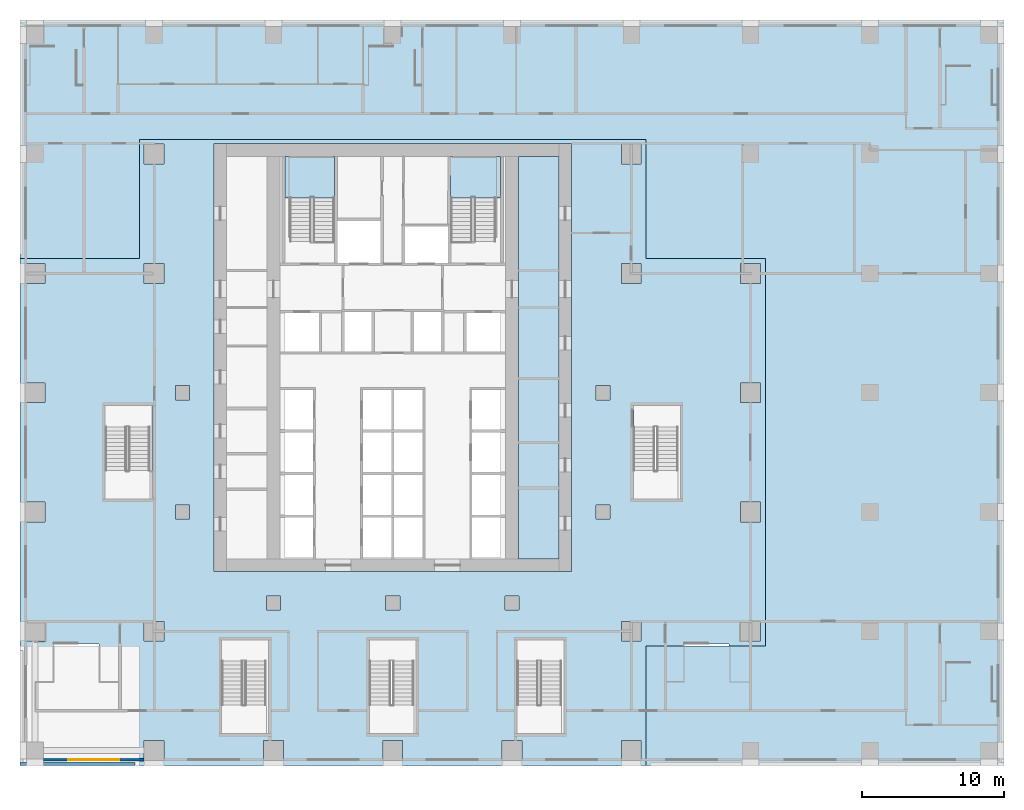
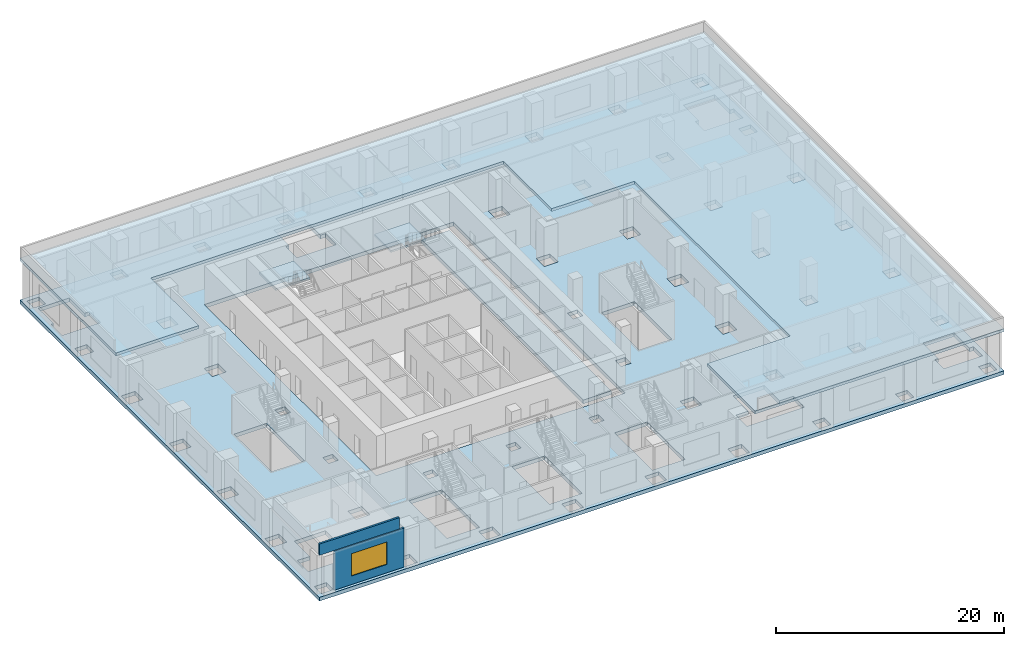
# One storey, part 2 of 16: 5 slabs, 2 walls, 1 window, 1 opening, 2 elements without a shape of their own.
"""IFC4 building model written with IfcOpenShell, lengths in metres."""

from ifc_helpers import new_model, si_unit, direction, frame, frame_2d, origin, place, context, subcontext, project, spatial, polyline, rectangle, outline, extrude, material, layer, layer_set, type_object, element, fill, aggregate, save


model = new_model("IFC4")

# Units and contexts
model_context = context("Model", 3, precision=1e-05, world=origin(), true_north=direction((0.0, 1.0)))
body_context = subcontext(model_context, "Body", "Model", "MODEL_VIEW")
ifc_project = project(units=[si_unit("LENGTHUNIT", "METRE"), si_unit("AREAUNIT", "SQUARE_METRE"), si_unit("VOLUMEUNIT", "CUBIC_METRE"), si_unit("PLANEANGLEUNIT", "RADIAN"), si_unit("MASSUNIT", "GRAM", prefix="KILO")], contexts=[model_context])

# Site, building, storey
site_placement = place(None, origin())
site = spatial("IfcSite", under=ifc_project, at=site_placement, CompositionType="ELEMENT")
building_placement = place(site_placement, origin())
building = spatial("IfcBuilding", under=site, at=building_placement, Name="Vermilion Ogive Tower", CompositionType="ELEMENT")
storey_placement = place(building_placement, frame((0.0, 0.0, 30.0)))
storey = spatial("IfcBuildingStorey", under=building, at=storey_placement, Name="L05", CompositionType="ELEMENT", Elevation=30.0)

# Slabs
ifc_material_1 = material(Name="Concrete B40", Category="concrete")
ifc_layer_1 = layer(ifc_material_1, 0.39990234375)
ifc_layer_set_1 = layer_set([ifc_layer_1], Name="Core floor slab 400 B40")
slab_type_1 = type_object("IfcSlabType", Name="Core floor slab 400 B40", PredefinedType="FLOOR", material=ifc_layer_set_1)
slab_1_placement = place(storey_placement, frame((0.0, 0.0, -0.39990234375)))
element("IfcSlab", 1, at=slab_1_placement, inside=storey, type_object=slab_type_1, Name="L05-CK-FS3", PredefinedType="FLOOR", context=body_context, shape_type="SweptSolid", body=[
    extrude(outline(polyline([(8.85400390625, 20.845947265625), (11.696044921875, 20.845947265625), (11.696044921875, -7.49609375), (8.85400390625, -7.49609375), (8.85400390625, 20.845947265625)])), origin(), (0.0, 0.0, 1.0), 0.39990234375),
])
ifc_material_2 = material(Name="Concrete B45", Category="concrete")
ifc_layer_2 = layer(ifc_material_2, 0.39990234375)
ifc_layer_set_2 = layer_set([ifc_layer_2], Name="Podium floor slab 400")
slab_type_2 = type_object("IfcSlabType", Name="Podium floor slab 400", PredefinedType="FLOOR", material=ifc_layer_set_2)
slab_2_placement = place(storey_placement, frame((0.0, 0.0, -0.39990234375)))
element("IfcSlab", 2, at=slab_2_placement, inside=storey, type_object=slab_type_2, Name="L05 floor slab 1", PredefinedType="FLOOR", context=body_context, shape_type="SweptSolid", body=[
    extrude(outline(polyline([(-26.25, 30.449951171875), (-26.25, -22.050048828125), (43.050048828125, -22.050048828125), (43.050048828125, 30.449951171875), (-26.25, 30.449951171875)]), holes=[polyline([(-25.800048828125, -21.60009765625), (-25.800048828125, -20.39990234375), (-24.60009765625, -20.39990234375), (-24.60009765625, -21.60009765625), (-25.800048828125, -21.60009765625)]), polyline([(-9.10009765625, -21.699951171875), (-9.10009765625, -20.300048828125), (-7.699951171875, -20.300048828125), (-7.699951171875, -21.699951171875), (-9.10009765625, -21.699951171875)]), polyline([(-17.5, -21.699951171875), (-17.5, -20.300048828125), (-16.10009765625, -20.300048828125), (-16.10009765625, -21.699951171875), (-17.5, -21.699951171875)]), polyline([(-12.050048828125, -19.800048828125), (-12.050048828125, -13.199951171875), (-8.75, -13.199951171875), (-8.75, -19.800048828125), (-12.050048828125, -19.800048828125)]), polyline([(-25.10009765625, -16.199951171875), (-23.85009765625, -16.199951171875), (-23.85009765625, -13.5), (-22.199951171875, -13.5), (-22.199951171875, -13.501953125), (-20.699951171875, -13.501953125), (-20.699951171875, -13.5), (-20.699951171875, -13.5), (-20.699951171875, -16.199951171875), (-19.300048828125, -16.199951171875), (-19.300048828125, -18.125), (-25.10009765625, -18.125), (-25.10009765625, -16.199951171875)]), polyline([(-25.89990234375, -13.300048828125), (-25.89990234375, -11.89990234375), (-24.5, -11.89990234375), (-24.5, -13.300048828125), (-25.89990234375, -13.300048828125)]), polyline([(-17.5, -13.300048828125), (-17.5, -11.89990234375), (-16.10009765625, -11.89990234375), (-16.10009765625, -13.300048828125), (-17.5, -13.300048828125)]), polyline([(-8.89990234375, -11.10009765625), (-8.89990234375, -10.10009765625), (-7.89990234375, -10.10009765625), (-7.89990234375, -11.10009765625), (-8.89990234375, -11.10009765625)]), polyline([(-25.89990234375, -4.89990234375), (-25.89990234375, -3.5), (-24.5, -3.5), (-24.5, -4.89990234375), (-25.89990234375, -4.89990234375)]), polyline([(-15.300048828125, -4.699951171875), (-15.300048828125, -3.699951171875), (-14.300048828125, -3.699951171875), (-14.300048828125, -4.699951171875), (-15.300048828125, -4.699951171875)]), polyline([(-20.25, -3.300048828125), (-20.25, 3.300048828125), (-16.949951171875, 3.300048828125), (-16.949951171875, -3.300048828125), (-20.25, -3.300048828125)]), polyline([(-15.300048828125, 3.699951171875), (-15.300048828125, 4.699951171875), (-14.300048828125, 4.699951171875), (-14.300048828125, 3.699951171875), (-15.300048828125, 3.699951171875)]), polyline([(-25.89990234375, 3.5), (-25.89990234375, 4.89990234375), (-24.5, 4.89990234375), (-24.5, 3.5), (-25.89990234375, 3.5)]), polyline([(-25.89990234375, 11.89990234375), (-25.89990234375, 13.300048828125), (-24.5, 13.300048828125), (-24.5, 11.89990234375), (-25.89990234375, 11.89990234375)]), polyline([(-17.5, 11.89990234375), (-17.5, 13.300048828125), (-16.10009765625, 13.300048828125), (-16.10009765625, 11.89990234375), (-17.5, 11.89990234375)]), polyline([(-17.5, 20.300048828125), (-17.5, 21.699951171875), (-16.10009765625, 21.699951171875), (-16.10009765625, 20.300048828125), (-17.5, 20.300048828125)]), polyline([(-25.800048828125, 20.39990234375), (-25.800048828125, 21.60009765625), (-24.60009765625, 21.60009765625), (-24.60009765625, 20.39990234375), (-25.800048828125, 20.39990234375)]), polyline([(-21.85009765625, 25.85009765625), (-21.85009765625, 23.925048828125), (-25.75, 23.925048828125), (-25.75, 25.85009765625), (-25.5, 25.85009765625), (-25.5, 28.550048828125), (-23.85009765625, 28.550048828125), (-23.85009765625, 28.548095703125), (-22.35009765625, 28.548095703125), (-22.35009765625, 25.85009765625), (-21.85009765625, 25.85009765625)]), polyline([(-17.39990234375, 28.800048828125), (-17.39990234375, 30.0), (-16.199951171875, 30.0), (-16.199951171875, 28.800048828125), (-17.39990234375, 28.800048828125)]), polyline([(-9.0, 28.800048828125), (-9.0, 30.0), (-7.800048828125, 30.0), (-7.800048828125, 28.800048828125), (-9.0, 28.800048828125)]), polyline([(-25.800048828125, 28.800048828125), (-25.800048828125, 30.0), (-24.60009765625, 30.0), (-24.60009765625, 28.800048828125), (-25.800048828125, 28.800048828125)]), polyline([(24.60009765625, -21.60009765625), (24.60009765625, -20.39990234375), (25.800048828125, -20.39990234375), (25.800048828125, -21.60009765625), (24.60009765625, -21.60009765625)]), polyline([(-0.699951171875, -21.699951171875), (-0.699951171875, -20.300048828125), (0.699951171875, -20.300048828125), (0.699951171875, -21.699951171875), (-0.699951171875, -21.699951171875)]), polyline([(7.699951171875, -21.699951171875), (7.699951171875, -20.300048828125), (9.10009765625, -20.300048828125), (9.10009765625, -21.699951171875), (7.699951171875, -21.699951171875)]), polyline([(16.10009765625, -21.699951171875), (16.10009765625, -20.300048828125), (17.5, -20.300048828125), (17.5, -21.699951171875), (16.10009765625, -21.699951171875)]), polyline([(-1.64990234375, -19.800048828125), (-1.64990234375, -13.199951171875), (1.64990234375, -13.199951171875), (1.64990234375, -19.800048828125), (-1.64990234375, -19.800048828125)]), polyline([(8.75, -19.800048828125), (8.75, -13.199951171875), (12.050048828125, -13.199951171875), (12.050048828125, -19.800048828125), (8.75, -19.800048828125)]), polyline([(19.300048828125, -18.125), (19.300048828125, -16.199951171875), (20.550048828125, -16.199951171875), (20.550048828125, -13.5), (22.199951171875, -13.5), (22.199951171875, -13.501953125), (23.699951171875, -13.501953125), (23.699951171875, -16.199951171875), (25.099853515625, -16.199951171875), (25.099853515625, -18.125), (19.300048828125, -18.125)]), polyline([(16.10009765625, -13.300048828125), (16.10009765625, -11.89990234375), (17.5, -11.89990234375), (17.5, -13.300048828125), (16.10009765625, -13.300048828125)]), polyline([(-0.5, -11.10009765625), (-0.5, -10.10009765625), (0.5, -10.10009765625), (0.5, -11.10009765625), (-0.5, -11.10009765625)]), polyline([(7.89990234375, -11.10009765625), (7.89990234375, -10.10009765625), (8.89990234375, -10.10009765625), (8.89990234375, -11.10009765625), (7.89990234375, -11.10009765625)]), polyline([(14.300048828125, -4.699951171875), (14.300048828125, -3.699951171875), (15.300048828125, -3.699951171875), (15.300048828125, -4.699951171875), (14.300048828125, -4.699951171875)]), polyline([(16.949951171875, -3.300048828125), (16.949951171875, 3.300048828125), (20.25, 3.300048828125), (20.25, -3.300048828125), (16.949951171875, -3.300048828125)]), polyline([(14.300048828125, 3.699951171875), (14.300048828125, 4.699951171875), (15.300048828125, 4.699951171875), (15.300048828125, 3.699951171875), (14.300048828125, 3.699951171875)]), polyline([(-12.60009765625, -8.39990234375), (-12.60009765625, 21.75), (12.60009765625, 21.75), (12.60009765625, -8.39990234375), (-12.60009765625, -8.39990234375)]), polyline([(16.10009765625, 11.89990234375), (16.10009765625, 13.300048828125), (17.5, 13.300048828125), (17.5, 11.89990234375), (16.10009765625, 11.89990234375)]), polyline([(16.10009765625, 20.300048828125), (16.10009765625, 21.699951171875), (17.5, 21.699951171875), (17.5, 20.300048828125), (16.10009765625, 20.300048828125)]), polyline([(-1.64990234375, 25.85009765625), (-1.64990234375, 28.550048828125), (0.0, 28.550048828125), (0.0, 28.548095703125), (1.5, 28.548095703125), (1.5, 25.85009765625), (2.0, 25.85009765625), (2.0, 23.925048828125), (-2.0, 23.925048828125), (-2.0, 25.85009765625), (-1.64990234375, 25.85009765625)]), polyline([(16.199951171875, 28.800048828125), (16.199951171875, 30.0), (17.39990234375, 30.0), (17.39990234375, 28.800048828125), (16.199951171875, 28.800048828125)]), polyline([(7.800048828125, 28.800048828125), (7.800048828125, 30.0), (9.0, 30.0), (9.0, 28.800048828125), (7.800048828125, 28.800048828125)]), polyline([(24.60009765625, 28.800048828125), (24.60009765625, 30.0), (25.800048828125, 30.0), (25.800048828125, 28.800048828125), (24.60009765625, 28.800048828125)]), polyline([(-0.60009765625, 28.800048828125), (-0.60009765625, 30.0), (0.60009765625, 30.0), (0.60009765625, 28.800048828125), (-0.60009765625, 28.800048828125)]), polyline([(41.39990234375, -21.60009765625), (41.39990234375, -20.39990234375), (42.60009765625, -20.39990234375), (42.60009765625, -21.60009765625), (41.39990234375, -21.60009765625)]), polyline([(33.0, -21.60009765625), (33.0, -20.39990234375), (34.199951171875, -20.39990234375), (34.199951171875, -21.60009765625), (33.0, -21.60009765625)]), polyline([(39.0, -14.85009765625), (40.64990234375, -14.85009765625), (40.64990234375, -14.85205078125), (42.14990234375, -14.85205078125), (42.14990234375, -17.550048828125), (42.550048828125, -17.550048828125), (42.550048828125, -19.125), (38.650146484375, -19.125), (38.650146484375, -17.550048828125), (39.0, -17.550048828125), (39.0, -14.85009765625)]), polyline([(33.0, -13.199951171875), (33.0, -12.0), (34.199951171875, -12.0), (34.199951171875, -13.199951171875), (33.0, -13.199951171875)]), polyline([(41.39990234375, -13.199951171875), (41.39990234375, -12.0), (42.60009765625, -12.0), (42.60009765625, -13.199951171875), (41.39990234375, -13.199951171875)]), polyline([(24.5, -13.300048828125), (24.5, -11.89990234375), (25.89990234375, -11.89990234375), (25.89990234375, -13.300048828125), (24.5, -13.300048828125)]), polyline([(33.0, -4.800048828125), (33.0, -3.60009765625), (34.199951171875, -3.60009765625), (34.199951171875, -4.800048828125), (33.0, -4.800048828125)]), polyline([(41.39990234375, -4.800048828125), (41.39990234375, -3.60009765625), (42.60009765625, -3.60009765625), (42.60009765625, -4.800048828125), (41.39990234375, -4.800048828125)]), polyline([(24.5, -4.89990234375), (24.5, -3.5), (25.89990234375, -3.5), (25.89990234375, -4.89990234375), (24.5, -4.89990234375)]), polyline([(33.0, 3.60009765625), (33.0, 4.800048828125), (34.199951171875, 4.800048828125), (34.199951171875, 3.60009765625), (33.0, 3.60009765625)]), polyline([(24.5, 3.5), (24.5, 4.89990234375), (25.89990234375, 4.89990234375), (25.89990234375, 3.5), (24.5, 3.5)]), polyline([(41.39990234375, 3.60009765625), (41.39990234375, 4.800048828125), (42.60009765625, 4.800048828125), (42.60009765625, 3.60009765625), (41.39990234375, 3.60009765625)]), polyline([(33.0, 12.0), (33.0, 13.199951171875), (34.199951171875, 13.199951171875), (34.199951171875, 12.0), (33.0, 12.0)]), polyline([(24.5, 11.89990234375), (24.5, 13.300048828125), (25.89990234375, 13.300048828125), (25.89990234375, 11.89990234375), (24.5, 11.89990234375)]), polyline([(41.39990234375, 12.0), (41.39990234375, 13.199951171875), (42.60009765625, 13.199951171875), (42.60009765625, 12.0), (41.39990234375, 12.0)]), polyline([(33.0, 20.39990234375), (33.0, 21.60009765625), (34.199951171875, 21.60009765625), (34.199951171875, 20.39990234375), (33.0, 20.39990234375)]), polyline([(41.39990234375, 20.39990234375), (41.39990234375, 21.60009765625), (42.60009765625, 21.60009765625), (42.60009765625, 20.39990234375), (41.39990234375, 20.39990234375)]), polyline([(24.60009765625, 20.39990234375), (24.60009765625, 21.60009765625), (25.800048828125, 21.60009765625), (25.800048828125, 20.39990234375), (24.60009765625, 20.39990234375)]), polyline([(42.550048828125, 22.875), (38.650146484375, 22.875), (38.650146484375, 24.449951171875), (39.0, 24.449951171875), (39.0, 27.14990234375), (40.64990234375, 27.14990234375), (40.64990234375, 27.14794921875), (42.14990234375, 27.14794921875), (42.14990234375, 24.449951171875), (42.550048828125, 24.449951171875), (42.550048828125, 22.875)]), polyline([(33.0, 30.0), (34.199951171875, 30.0), (34.199951171875, 28.800048828125), (33.0, 28.800048828125), (33.0, 30.0)]), polyline([(41.39990234375, 30.0), (42.60009765625, 30.0), (42.60009765625, 28.800048828125), (41.39990234375, 28.800048828125), (41.39990234375, 30.0)])]), origin(), (0.0, 0.0, 1.0), 0.39990234375),
])
ifc_material_3 = material(Name="Concrete B45", Category="concrete")
ifc_layer_3 = layer(ifc_material_3, 0.320068359375)
ifc_layer_set_3 = layer_set([ifc_layer_3], Name="Podium roof slab 320")
slab_type_3 = type_object("IfcSlabType", Name="Podium roof slab 320", PredefinedType="ROOF", material=ifc_layer_set_3)
slab_3_placement = place(storey_placement, frame((0.0, 0.0, 4.179931640625)))
element("IfcSlab", 3, at=slab_3_placement, inside=storey, type_object=slab_type_3, Name="L05 terrace roof 2", PredefinedType="ROOF", context=body_context, shape_type="SweptSolid", body=[
    extrude(outline(polyline([(-26.25, 30.449951171875), (-26.25, 13.65087890625), (-17.85107421875, 13.65087890625), (-17.85107421875, 22.050048828125), (-17.85107421875, 22.05029296875), (-17.850830078125, 22.05029296875), (-17.850830078125, 22.050537109375), (-17.8505859375, 22.05078125), (-17.850341796875, 22.051025390625), (-17.85009765625, 22.051025390625), (17.85009765625, 22.051025390625), (17.850341796875, 22.051025390625), (17.8505859375, 22.05078125), (17.850830078125, 22.050537109375), (17.850830078125, 22.05029296875), (17.85107421875, 22.05029296875), (17.85107421875, 22.050048828125), (17.85107421875, 13.65087890625), (26.25, 13.65087890625), (26.250244140625, 13.65087890625), (26.25048828125, 13.65087890625), (26.250732421875, 13.65087890625), (26.250732421875, 13.650634765625), (26.2509765625, 13.650390625), (26.2509765625, 13.650146484375), (26.2509765625, 13.64990234375), (26.2509765625, -13.64990234375), (26.2509765625, -13.650146484375), (26.2509765625, -13.650390625), (26.250732421875, -13.650634765625), (26.250732421875, -13.65087890625), (26.25048828125, -13.65087890625), (26.250244140625, -13.65087890625), (26.25, -13.65087890625), (17.85107421875, -13.65087890625), (17.85107421875, -22.050048828125), (43.050048828125, -22.050048828125), (43.050048828125, 30.449951171875), (-26.25, 30.449951171875)])), origin(), (0.0, 0.0, 1.0), 0.320068359375),
])

# Stair, slab
ifc_material_4 = material(Name="Concrete B40", Category="concrete")
stair_type = type_object("IfcStairType", Name="Exit stair 1500", PredefinedType="HALF_TURN_STAIR", material=ifc_material_4)
stair_1_placement = place(storey_placement, origin())
stair_1 = element("IfcStair", 4, at=stair_1_placement, inside=storey, type_object=stair_type, Name="L05 Exit Stair ST1", PredefinedType="HALF_TURN_STAIR")
ifc_material_5 = material(Name="Concrete B40", Category="concrete")
ifc_layer_4 = layer(ifc_material_5, 0.199951171875)
ifc_layer_set_4 = layer_set([ifc_layer_4], Name="Stair landing 200")
slab_type_4 = type_object("IfcSlabType", Name="Stair landing 200", PredefinedType="LANDING", material=ifc_layer_set_4)
slab_4_placement = place(storey_placement, frame((0.0, 0.0, 2.050048828125)))
slab_4 = element("IfcSlab", 5, at=slab_4_placement, type_object=slab_type_4, Name="ST1 landing 1", PredefinedType="LANDING", context=body_context, shape_type="SweptSolid", body=[
    extrude(outline(polyline([(-7.60009765625, 17.929931640625), (-7.25, 17.929931640625), (-7.25, 17.927978515625), (-5.75, 17.927978515625), (-5.75, 17.929931640625), (-5.60009765625, 17.929931640625), (-5.60009765625, 17.927978515625), (-4.10009765625, 17.927978515625), (-4.10009765625, 20.85009765625), (-7.60009765625, 20.85009765625), (-7.60009765625, 17.929931640625)])), origin(), (0.0, 0.0, 1.0), 0.199951171875),
])
aggregate(stair_1, [slab_4])

stair_2_placement = place(storey_placement, origin())
stair_2 = element("IfcStair", 6, at=stair_2_placement, inside=storey, type_object=stair_type, Name="L05 Exit Stair ST2", PredefinedType="HALF_TURN_STAIR")
slab_5_placement = place(storey_placement, frame((0.0, 0.0, 2.050048828125)))
slab_5 = element("IfcSlab", 7, at=slab_5_placement, type_object=slab_type_4, Name="ST2 landing 1", PredefinedType="LANDING", context=body_context, shape_type="SweptSolid", body=[
    extrude(outline(polyline([(5.60009765625, 17.929931640625), (5.75, 17.929931640625), (5.75, 17.927978515625), (7.25, 17.927978515625), (7.25, 17.929931640625), (7.60009765625, 17.929931640625), (7.60009765625, 20.85009765625), (4.074951171875, 20.85009765625), (4.074951171875, 17.929931640625), (4.10009765625, 17.929931640625), (4.10009765625, 17.927978515625), (5.60009765625, 17.927978515625), (5.60009765625, 17.929931640625)])), origin(), (0.0, 0.0, 1.0), 0.199951171875),
])
aggregate(stair_2, [slab_5])

# Wall
ifc_material_6 = material(Name="Concrete B45", Category="concrete")
ifc_layer_5 = layer(ifc_material_6, 0.199951171875)
ifc_layer_set_5 = layer_set([ifc_layer_5], Name="Terrace parapet RC Concrete B45")
wall_type_1 = type_object("IfcWallType", Name="Terrace parapet RC Concrete B45", PredefinedType="PARAPET", material=ifc_layer_set_5)
wall_1_placement = place(storey_placement, frame((-26.25, -21.949951171875, 4.5), z_axis=(0.0, 0.0, 1.0), x_axis=(1.0, 0.0, 0.0)))
element("IfcWall", 8, at=wall_1_placement, inside=storey, type_object=wall_type_1, Name="L05 terrace parapet 1", PredefinedType="PARAPET", context=body_context, shape_type="SweptSolid", body=[
    extrude(rectangle(XDim=8.10009765625, YDim=0.199951171875, at=frame_2d((4.050048828125, 0.0))), origin(), (0.0, 0.0, 1.0), 1.199951171875),
])

# Wall, opening, window
ifc_material_7 = material(Name="Aluminium window wall framing", Category="aluminium")
ifc_layer_6 = layer(ifc_material_7, 0.199951171875)
ifc_layer_set_6 = layer_set([ifc_layer_6], Name="Window wall")
wall_type_2 = type_object("IfcWallType", Name="Window wall", PredefinedType="STANDARD", material=ifc_layer_set_6)
wall_2_placement = place(storey_placement, frame((-24.60009765625, -21.64990234375, 0.0), z_axis=(0.0, 0.0, 1.0), x_axis=(1.0, 0.0, 0.0)))
wall_2 = element("IfcWall", 9, at=wall_2_placement, inside=storey, type_object=wall_type_2, Name="Window wall S1", PredefinedType="STANDARD", context=body_context, shape_type="SweptSolid", body=[
    extrude(rectangle(XDim=7.10009765625, YDim=0.199951171875, at=frame_2d((3.550048828125, 0.0))), origin(), (0.0, 0.0, 1.0), 4.179931640625),
])
opening_placement = place(wall_2_placement, frame((1.75, 0.0, 0.89990234375)))
opening = element("IfcOpeningElement", 10, at=opening_placement, cuts=wall_2, Name="Opening P-S1", PredefinedType="OPENING", context=body_context, shape_type="SweptSolid", body=[
    extrude(rectangle(XDim=3.60009765625, YDim=2.39990234375, at=frame_2d((1.800048828125, 1.199951171875))), frame((0.0, 0.10986328125, 0.0), z_axis=(0.0, -1.0, 0.0), x_axis=(1.0, 0.0, 0.0)), (0.0, 0.0, 1.0), 0.219970703125),
])
ifc_material_8 = material(Name="Aluminium framed double glazing", Category="aluminium")
window_type = type_object("IfcWindowType", Name="Podium window P 3600x2400 sill 900", PartitioningType="SINGLE_PANEL", PredefinedType="WINDOW", material=ifc_material_8)
window_placement = place(opening_placement, origin())
window = element("IfcWindow", 11, at=window_placement, inside=storey, type_object=window_type, Name="Window S1", OverallHeight=2.39990234375, OverallWidth=3.60009765625, PartitioningType="SINGLE_PANEL", PredefinedType="WINDOW", context=body_context, shape_type="SweptSolid", body=[
    extrude(rectangle(XDim=3.60009765625, YDim=2.39990234375, at=frame_2d((1.800048828125, 1.199951171875))), frame((0.0, 0.030029296875, 0.0), z_axis=(0.0, -1.0, 0.0), x_axis=(1.0, 0.0, 0.0)), (0.0, 0.0, 1.0), 0.06005859375),
])
fill(opening, window)

save(model, "model.ifc")
